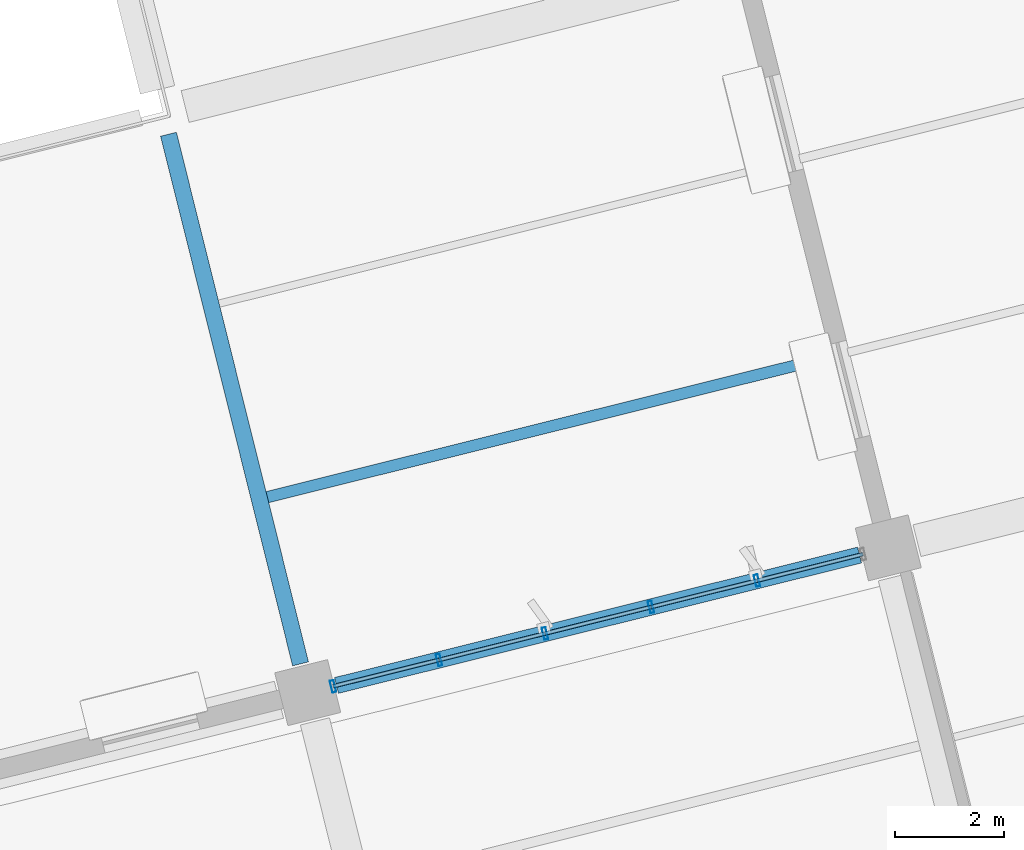
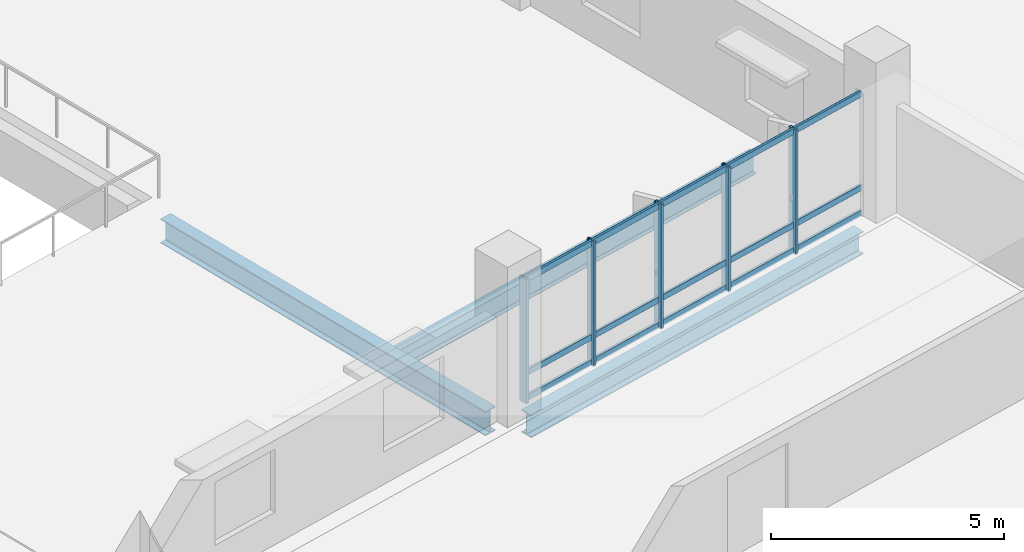
# One storey, part 24 of 75: 20 members, 3 beams, 1 element without a shape of its own.
"""IFC4 building model written with IfcOpenShell, lengths in metres."""

from ifc_helpers import new_model, si_unit, direction, frame, origin, origin_2d, place, context, subcontext, project, spatial, hollow_rectangle, i_section, extrude, material, layer, layer_set, material_profile, profile_set, type_object, element, aggregate, save


model = new_model("IFC4")

# Units and contexts
model_context = context("Model", 3, precision=1e-05, world=origin(), true_north=direction((0.0, 1.0)))
body_context = subcontext(model_context, "Body", "Model", "MODEL_VIEW")
ifc_project = project(units=[si_unit("LENGTHUNIT", "METRE"), si_unit("AREAUNIT", "SQUARE_METRE"), si_unit("VOLUMEUNIT", "CUBIC_METRE"), si_unit("PLANEANGLEUNIT", "RADIAN"), si_unit("MASSUNIT", "GRAM", prefix="KILO")], contexts=[model_context])

# Site, building, storey
site_placement = place(None, origin())
site = spatial("IfcSite", under=ifc_project, at=site_placement, CompositionType="ELEMENT")
building_placement = place(site_placement, origin())
building = spatial("IfcBuilding", under=site, at=building_placement, Name="Khorjan Park Terminus", CompositionType="ELEMENT")
storey_placement = place(building_placement, frame((0.0, 0.0, 16.2)))
storey = spatial("IfcBuildingStorey", under=building, at=storey_placement, Name="L03", CompositionType="ELEMENT", Elevation=16.2)

# Beams
ifc_material_1 = material(Name="Steel S355", Category="steel")
ifc_material_profile_1 = material_profile(ifc_material_1, i_section(OverallWidth=0.3, OverallDepth=0.64, WebThickness=0.0135, FlangeThickness=0.026, FilletRadius=0.027, at=origin_2d()), Name="HEA 650")
ifc_profile_set_1 = profile_set([ifc_material_profile_1], Name="Steel S355")
beam_type_1 = type_object("IfcBeamType", Name="BM-HEA650", PredefinedType="BEAM", material=ifc_profile_set_1)
beam_1_placement = place(storey_placement, frame((181.8924, 29.1976, -0.59), z_axis=(-0.24192360021, 0.970295301267, 0.0), x_axis=(-0.970295301267, -0.24192360021, 0.0)))
element("IfcBeam", 1, at=beam_1_placement, inside=storey, type_object=beam_type_1, Name="Primary skew-grid floor girder SB-A65 (L03)", PredefinedType="BEAM", context=body_context, shape_type="SweptSolid", body=[
    extrude(i_section(OverallWidth=0.3, OverallDepth=0.64, WebThickness=0.0135, FlangeThickness=0.026, FilletRadius=0.027, at=origin_2d()), origin(), (0.0, 0.0, 1.0), 10.035),
])
ifc_material_profile_2 = material_profile(ifc_material_1, i_section(OverallWidth=0.3, OverallDepth=0.6, WebThickness=0.0155, FlangeThickness=0.03, FilletRadius=0.027, at=origin_2d()), Name="HEB 600")
ifc_profile_set_2 = profile_set([ifc_material_profile_2], Name="Steel S355")
beam_type_2 = type_object("IfcBeamType", Name="BM-HEB600", PredefinedType="BEAM", material=ifc_profile_set_2)
beam_2_placement = place(storey_placement, frame((182.553, 28.8006, -0.65), z_axis=(0.970294856426, 0.241925384349, 0.0), x_axis=(-0.241925384349, 0.970294856426, 0.0)))
element("IfcBeam", 2, at=beam_2_placement, inside=storey, type_object=beam_type_2, Name="Primary skew-grid floor girder SB-B60 (L03)", PredefinedType="BEAM", context=body_context, shape_type="SweptSolid", body=[
    extrude(i_section(OverallWidth=0.3, OverallDepth=0.6, WebThickness=0.0155, FlangeThickness=0.03, FilletRadius=0.027, at=origin_2d()), origin(), (0.0, 0.0, 1.0), 9.9101),
])
ifc_material_profile_3 = material_profile(ifc_material_1, i_section(OverallWidth=0.21, OverallDepth=0.55, WebThickness=0.0111, FlangeThickness=0.0172, FilletRadius=0.024, at=origin_2d()), Name="IPE 550")
ifc_profile_set_3 = profile_set([ifc_material_profile_3], Name="Steel S355")
beam_type_3 = type_object("IfcBeamType", Name="JS-IPE550", PredefinedType="JOIST", material=ifc_profile_set_3)
beam_3_placement = place(storey_placement, frame((181.2827, 32.2629, -0.625), z_axis=(0.970297331913, 0.241915455651, 0.0), x_axis=(-0.241915455651, 0.970297331913, 0.0)))
element("IfcBeam", 3, at=beam_3_placement, inside=storey, type_object=beam_type_3, Name="Secondary composite floor joist SJ-55 (L03)", PredefinedType="JOIST", context=body_context, shape_type="SweptSolid", body=[
    extrude(i_section(OverallWidth=0.21, OverallDepth=0.55, WebThickness=0.0111, FlangeThickness=0.0172, FilletRadius=0.024, at=origin_2d()), origin(), (0.0, 0.0, 1.0), 10.7),
])

# Curtain wall, members
ifc_material_2 = material(Name="Anodized Bronze Aluminium", Category="aluminium")
ifc_layer = layer(ifc_material_2, 0.22)
ifc_layer_set = layer_set([ifc_layer], Name="Anodized Bronze Aluminium")
curtain_wall_type = type_object("IfcCurtainWallType", Name="CW-OPS-B", PredefinedType="NOTDEFINED", material=ifc_layer_set)
curtain_wall_placement = place(storey_placement, origin())
curtain_wall = element("IfcCurtainWall", 4, at=curtain_wall_placement, inside=storey, type_object=curtain_wall_type, Name="Unitized curtain wall CW-B (CW-V5-NW2-L03-B01)", PredefinedType="NOTDEFINED")
ifc_material_profile_4 = material_profile(ifc_material_2, hollow_rectangle(XDim=0.075, YDim=0.225, WallThickness=0.005, InnerFilletRadius=0.005, OuterFilletRadius=0.01, at=origin_2d()), Name="ALM 75x225x5")
ifc_profile_set_4 = profile_set([ifc_material_profile_4], Name="Anodized Bronze Aluminium")
member_type_1 = type_object("IfcMemberType", Name="ML-ALM-225", PredefinedType="MULLION", material=ifc_profile_set_4)
member_1_placement = place(storey_placement, frame((190.283, 30.7279, -0.035), z_axis=(0.0, 0.0, 1.0), x_axis=(-0.970296398227, -0.241919200535, 0.0)))
member_1 = element("IfcMember", 5, at=member_1_placement, type_object=member_type_1, Name="Curtain-wall mullion ML-22 (CW-V5-NW2-L03-B01-1)", PredefinedType="MULLION", context=body_context, shape_type="SweptSolid", body=[
    extrude(hollow_rectangle(XDim=0.075, YDim=0.225, WallThickness=0.005, InnerFilletRadius=0.005, OuterFilletRadius=0.01, at=origin_2d()), origin(), (0.0, 0.0, 1.0), 3.265),
])
member_2_placement = place(storey_placement, frame((188.3347, 30.2422, -0.035), z_axis=(0.0, 0.0, 1.0), x_axis=(-0.970296398227, -0.241919200535, 0.0)))
member_2 = element("IfcMember", 6, at=member_2_placement, type_object=member_type_1, Name="Curtain-wall mullion ML-22 (CW-V5-NW2-L03-B01-2)", PredefinedType="MULLION", context=body_context, shape_type="SweptSolid", body=[
    extrude(hollow_rectangle(XDim=0.075, YDim=0.225, WallThickness=0.005, InnerFilletRadius=0.005, OuterFilletRadius=0.01, at=origin_2d()), origin(), (0.0, 0.0, 1.0), 3.265),
])
member_3_placement = place(storey_placement, frame((186.3864, 29.7564, -0.035), z_axis=(0.0, 0.0, 1.0), x_axis=(-0.970296398227, -0.241919200535, 0.0)))
member_3 = element("IfcMember", 7, at=member_3_placement, type_object=member_type_1, Name="Curtain-wall mullion ML-22 (CW-V5-NW2-L03-B01-3)", PredefinedType="MULLION", context=body_context, shape_type="SweptSolid", body=[
    extrude(hollow_rectangle(XDim=0.075, YDim=0.225, WallThickness=0.005, InnerFilletRadius=0.005, OuterFilletRadius=0.01, at=origin_2d()), origin(), (0.0, 0.0, 1.0), 3.265),
])
member_4_placement = place(storey_placement, frame((184.4381, 29.2707, -0.035), z_axis=(0.0, 0.0, 1.0), x_axis=(-0.970296398227, -0.241919200535, 0.0)))
member_4 = element("IfcMember", 8, at=member_4_placement, type_object=member_type_1, Name="Curtain-wall mullion ML-22 (CW-V5-NW2-L03-B01-4)", PredefinedType="MULLION", context=body_context, shape_type="SweptSolid", body=[
    extrude(hollow_rectangle(XDim=0.075, YDim=0.225, WallThickness=0.005, InnerFilletRadius=0.005, OuterFilletRadius=0.01, at=origin_2d()), origin(), (0.0, 0.0, 1.0), 3.265),
])
member_5_placement = place(storey_placement, frame((182.4898, 28.7849, -0.035), z_axis=(0.0, 0.0, 1.0), x_axis=(-0.970296398227, -0.241919200535, 0.0)))
member_5 = element("IfcMember", 9, at=member_5_placement, type_object=member_type_1, Name="Curtain-wall mullion ML-22 (CW-V5-NW2-L03-B01-5)", PredefinedType="MULLION", context=body_context, shape_type="SweptSolid", body=[
    extrude(hollow_rectangle(XDim=0.075, YDim=0.225, WallThickness=0.005, InnerFilletRadius=0.005, OuterFilletRadius=0.01, at=origin_2d()), origin(), (0.0, 0.0, 1.0), 3.265),
])
ifc_material_profile_5 = material_profile(ifc_material_2, hollow_rectangle(XDim=0.07, YDim=0.16, WallThickness=0.004, InnerFilletRadius=0.004, OuterFilletRadius=0.008, at=origin_2d()), Name="ALT 70x160x4")
ifc_profile_set_5 = profile_set([ifc_material_profile_5], Name="Anodized Bronze Aluminium")
member_type_2 = type_object("IfcMemberType", Name="TR-ALT-160", PredefinedType="USERDEFINED", material=ifc_profile_set_5)
member_6_placement = place(storey_placement, frame((192.2313, 31.2137, 0.04), z_axis=(-0.970291721973, -0.241937955415, 0.0), x_axis=(0.241937955415, -0.970291721973, 0.0)))
member_6 = element("IfcMember", 10, at=member_6_placement, type_object=member_type_2, Name="Curtain-wall transom TR-16 (CW-V5-NW2-L03-B01-0-1)", ObjectType="TRANSOM", PredefinedType="USERDEFINED", context=body_context, shape_type="SweptSolid", body=[
    extrude(hollow_rectangle(XDim=0.07, YDim=0.16, WallThickness=0.004, InnerFilletRadius=0.004, OuterFilletRadius=0.008, at=origin_2d()), origin(), (0.0, 0.0, 1.0), 2.008),
])
member_7_placement = place(storey_placement, frame((192.2313, 31.2137, 0.703), z_axis=(-0.970291721973, -0.241937955415, 0.0), x_axis=(0.241937955415, -0.970291721973, 0.0)))
member_7 = element("IfcMember", 11, at=member_7_placement, type_object=member_type_2, Name="Curtain-wall transom TR-16 (CW-V5-NW2-L03-B01-0-2)", ObjectType="TRANSOM", PredefinedType="USERDEFINED", context=body_context, shape_type="SweptSolid", body=[
    extrude(hollow_rectangle(XDim=0.07, YDim=0.16, WallThickness=0.004, InnerFilletRadius=0.004, OuterFilletRadius=0.008, at=origin_2d()), origin(), (0.0, 0.0, 1.0), 2.008),
])
member_8_placement = place(storey_placement, frame((192.2313, 31.2137, 3.155), z_axis=(-0.970291721973, -0.241937955415, 0.0), x_axis=(0.241937955415, -0.970291721973, 0.0)))
member_8 = element("IfcMember", 12, at=member_8_placement, type_object=member_type_2, Name="Curtain-wall transom TR-16 (CW-V5-NW2-L03-B01-0-3)", ObjectType="TRANSOM", PredefinedType="USERDEFINED", context=body_context, shape_type="SweptSolid", body=[
    extrude(hollow_rectangle(XDim=0.07, YDim=0.16, WallThickness=0.004, InnerFilletRadius=0.004, OuterFilletRadius=0.008, at=origin_2d()), origin(), (0.0, 0.0, 1.0), 2.008),
])
member_9_placement = place(storey_placement, frame((190.283, 30.7279, 0.04), z_axis=(-0.970303412013, -0.241891067708, 0.0), x_axis=(0.241891067708, -0.970303412013, 0.0)))
member_9 = element("IfcMember", 13, at=member_9_placement, type_object=member_type_2, Name="Curtain-wall transom TR-16 (CW-V5-NW2-L03-B01-1-1)", ObjectType="TRANSOM", PredefinedType="USERDEFINED", context=body_context, shape_type="SweptSolid", body=[
    extrude(hollow_rectangle(XDim=0.07, YDim=0.16, WallThickness=0.004, InnerFilletRadius=0.004, OuterFilletRadius=0.008, at=origin_2d()), origin(), (0.0, 0.0, 1.0), 2.0079),
])
member_10_placement = place(storey_placement, frame((190.283, 30.7279, 0.703), z_axis=(-0.970303412013, -0.241891067708, 0.0), x_axis=(0.241891067708, -0.970303412013, 0.0)))
member_10 = element("IfcMember", 14, at=member_10_placement, type_object=member_type_2, Name="Curtain-wall transom TR-16 (CW-V5-NW2-L03-B01-1-2)", ObjectType="TRANSOM", PredefinedType="USERDEFINED", context=body_context, shape_type="SweptSolid", body=[
    extrude(hollow_rectangle(XDim=0.07, YDim=0.16, WallThickness=0.004, InnerFilletRadius=0.004, OuterFilletRadius=0.008, at=origin_2d()), origin(), (0.0, 0.0, 1.0), 2.0079),
])
member_11_placement = place(storey_placement, frame((190.283, 30.7279, 3.155), z_axis=(-0.970303412013, -0.241891067708, 0.0), x_axis=(0.241891067708, -0.970303412013, 0.0)))
member_11 = element("IfcMember", 15, at=member_11_placement, type_object=member_type_2, Name="Curtain-wall transom TR-16 (CW-V5-NW2-L03-B01-1-3)", ObjectType="TRANSOM", PredefinedType="USERDEFINED", context=body_context, shape_type="SweptSolid", body=[
    extrude(hollow_rectangle(XDim=0.07, YDim=0.16, WallThickness=0.004, InnerFilletRadius=0.004, OuterFilletRadius=0.008, at=origin_2d()), origin(), (0.0, 0.0, 1.0), 2.0079),
])
member_12_placement = place(storey_placement, frame((188.3347, 30.2422, 0.04), z_axis=(-0.970291721973, -0.241937955415, 0.0), x_axis=(0.241937955415, -0.970291721973, 0.0)))
member_12 = element("IfcMember", 16, at=member_12_placement, type_object=member_type_2, Name="Curtain-wall transom TR-16 (CW-V5-NW2-L03-B01-2-1)", ObjectType="TRANSOM", PredefinedType="USERDEFINED", context=body_context, shape_type="SweptSolid", body=[
    extrude(hollow_rectangle(XDim=0.07, YDim=0.16, WallThickness=0.004, InnerFilletRadius=0.004, OuterFilletRadius=0.008, at=origin_2d()), origin(), (0.0, 0.0, 1.0), 2.008),
])
member_13_placement = place(storey_placement, frame((188.3347, 30.2422, 0.703), z_axis=(-0.970291721973, -0.241937955415, 0.0), x_axis=(0.241937955415, -0.970291721973, 0.0)))
member_13 = element("IfcMember", 17, at=member_13_placement, type_object=member_type_2, Name="Curtain-wall transom TR-16 (CW-V5-NW2-L03-B01-2-2)", ObjectType="TRANSOM", PredefinedType="USERDEFINED", context=body_context, shape_type="SweptSolid", body=[
    extrude(hollow_rectangle(XDim=0.07, YDim=0.16, WallThickness=0.004, InnerFilletRadius=0.004, OuterFilletRadius=0.008, at=origin_2d()), origin(), (0.0, 0.0, 1.0), 2.008),
])
member_14_placement = place(storey_placement, frame((188.3347, 30.2422, 3.155), z_axis=(-0.970291721973, -0.241937955415, 0.0), x_axis=(0.241937955415, -0.970291721973, 0.0)))
member_14 = element("IfcMember", 18, at=member_14_placement, type_object=member_type_2, Name="Curtain-wall transom TR-16 (CW-V5-NW2-L03-B01-2-3)", ObjectType="TRANSOM", PredefinedType="USERDEFINED", context=body_context, shape_type="SweptSolid", body=[
    extrude(hollow_rectangle(XDim=0.07, YDim=0.16, WallThickness=0.004, InnerFilletRadius=0.004, OuterFilletRadius=0.008, at=origin_2d()), origin(), (0.0, 0.0, 1.0), 2.008),
])
member_15_placement = place(storey_placement, frame((186.3864, 29.7564, 0.04), z_axis=(-0.970303412013, -0.241891067707, 0.0), x_axis=(0.241891067707, -0.970303412013, 0.0)))
member_15 = element("IfcMember", 19, at=member_15_placement, type_object=member_type_2, Name="Curtain-wall transom TR-16 (CW-V5-NW2-L03-B01-3-1)", ObjectType="TRANSOM", PredefinedType="USERDEFINED", context=body_context, shape_type="SweptSolid", body=[
    extrude(hollow_rectangle(XDim=0.07, YDim=0.16, WallThickness=0.004, InnerFilletRadius=0.004, OuterFilletRadius=0.008, at=origin_2d()), origin(), (0.0, 0.0, 1.0), 2.0079),
])
member_16_placement = place(storey_placement, frame((186.3864, 29.7564, 0.703), z_axis=(-0.970303412013, -0.241891067707, 0.0), x_axis=(0.241891067707, -0.970303412013, 0.0)))
member_16 = element("IfcMember", 20, at=member_16_placement, type_object=member_type_2, Name="Curtain-wall transom TR-16 (CW-V5-NW2-L03-B01-3-2)", ObjectType="TRANSOM", PredefinedType="USERDEFINED", context=body_context, shape_type="SweptSolid", body=[
    extrude(hollow_rectangle(XDim=0.07, YDim=0.16, WallThickness=0.004, InnerFilletRadius=0.004, OuterFilletRadius=0.008, at=origin_2d()), origin(), (0.0, 0.0, 1.0), 2.0079),
])
member_17_placement = place(storey_placement, frame((186.3864, 29.7564, 3.155), z_axis=(-0.970303412013, -0.241891067707, 0.0), x_axis=(0.241891067707, -0.970303412013, 0.0)))
member_17 = element("IfcMember", 21, at=member_17_placement, type_object=member_type_2, Name="Curtain-wall transom TR-16 (CW-V5-NW2-L03-B01-3-3)", ObjectType="TRANSOM", PredefinedType="USERDEFINED", context=body_context, shape_type="SweptSolid", body=[
    extrude(hollow_rectangle(XDim=0.07, YDim=0.16, WallThickness=0.004, InnerFilletRadius=0.004, OuterFilletRadius=0.008, at=origin_2d()), origin(), (0.0, 0.0, 1.0), 2.0079),
])
member_18_placement = place(storey_placement, frame((184.4381, 29.2707, 0.04), z_axis=(-0.970291721973, -0.241937955415, 0.0), x_axis=(0.241937955415, -0.970291721973, 0.0)))
member_18 = element("IfcMember", 22, at=member_18_placement, type_object=member_type_2, Name="Curtain-wall transom TR-16 (CW-V5-NW2-L03-B01-4-1)", ObjectType="TRANSOM", PredefinedType="USERDEFINED", context=body_context, shape_type="SweptSolid", body=[
    extrude(hollow_rectangle(XDim=0.07, YDim=0.16, WallThickness=0.004, InnerFilletRadius=0.004, OuterFilletRadius=0.008, at=origin_2d()), origin(), (0.0, 0.0, 1.0), 2.008),
])
member_19_placement = place(storey_placement, frame((184.4381, 29.2707, 0.703), z_axis=(-0.970291721973, -0.241937955415, 0.0), x_axis=(0.241937955415, -0.970291721973, 0.0)))
member_19 = element("IfcMember", 23, at=member_19_placement, type_object=member_type_2, Name="Curtain-wall transom TR-16 (CW-V5-NW2-L03-B01-4-2)", ObjectType="TRANSOM", PredefinedType="USERDEFINED", context=body_context, shape_type="SweptSolid", body=[
    extrude(hollow_rectangle(XDim=0.07, YDim=0.16, WallThickness=0.004, InnerFilletRadius=0.004, OuterFilletRadius=0.008, at=origin_2d()), origin(), (0.0, 0.0, 1.0), 2.008),
])
member_20_placement = place(storey_placement, frame((184.4381, 29.2707, 3.155), z_axis=(-0.970291721973, -0.241937955415, 0.0), x_axis=(0.241937955415, -0.970291721973, 0.0)))
member_20 = element("IfcMember", 24, at=member_20_placement, type_object=member_type_2, Name="Curtain-wall transom TR-16 (CW-V5-NW2-L03-B01-4-3)", ObjectType="TRANSOM", PredefinedType="USERDEFINED", context=body_context, shape_type="SweptSolid", body=[
    extrude(hollow_rectangle(XDim=0.07, YDim=0.16, WallThickness=0.004, InnerFilletRadius=0.004, OuterFilletRadius=0.008, at=origin_2d()), origin(), (0.0, 0.0, 1.0), 2.008),
])
aggregate(curtain_wall, [member_1, member_2, member_3, member_4, member_5, member_6, member_7, member_8, member_9, member_10, member_11, member_12, member_13, member_14, member_15, member_16, member_17, member_18, member_19, member_20])

save(model, "model.ifc")
